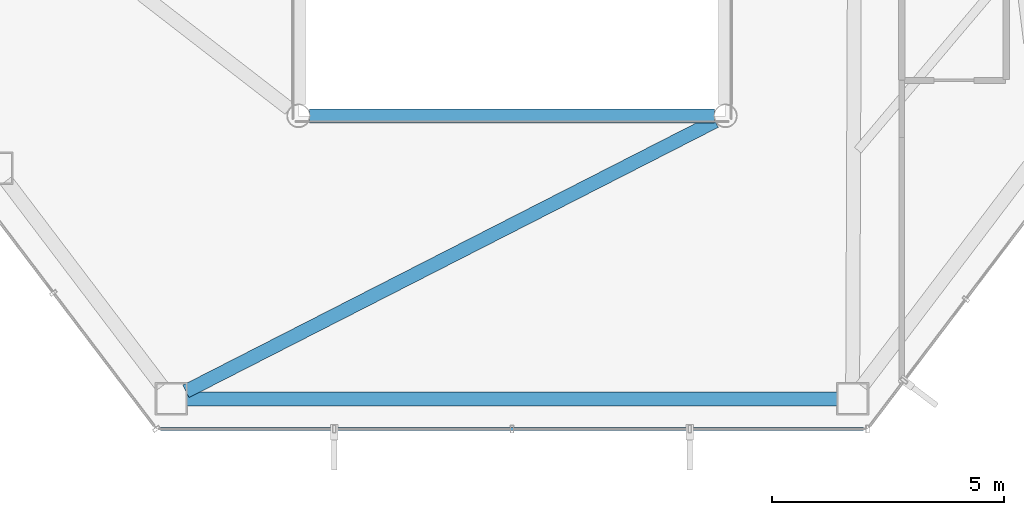
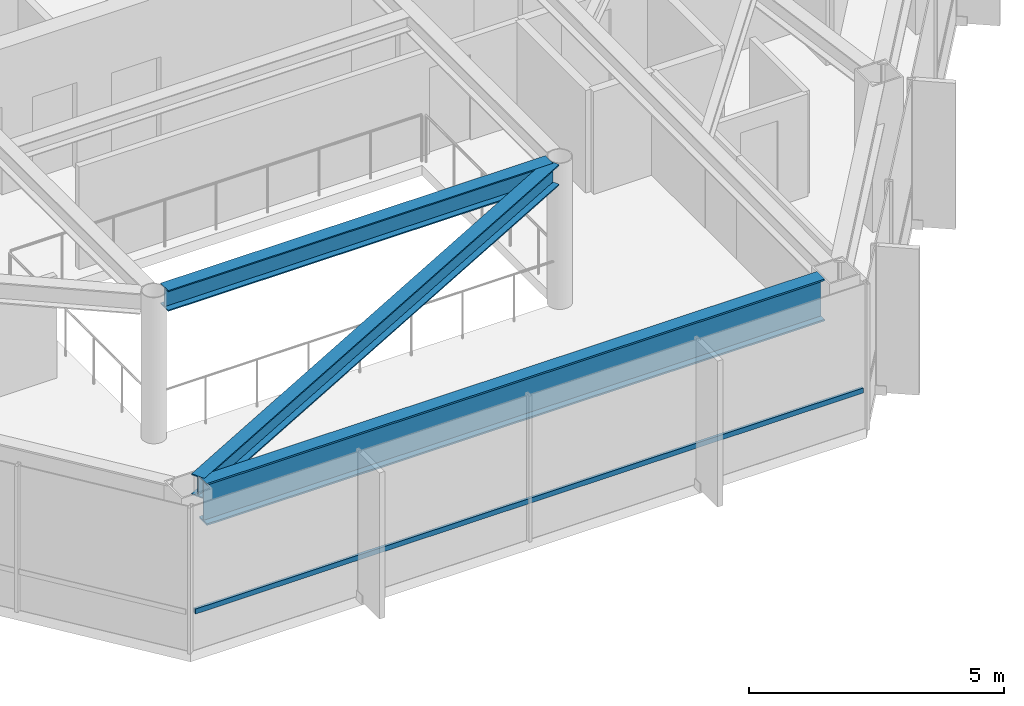
# One storey, part 7 of 28: 3 beams, 1 member, 1 element without a shape of its own.
"""IFC4 building model written with IfcOpenShell, lengths in metres."""

from ifc_helpers import new_model, si_unit, direction, frame, origin, origin_2d, place, context, subcontext, project, spatial, hollow_rectangle, i_section, extrude, material, layer, layer_set, material_profile, profile_set, type_object, element, aggregate, save


model = new_model("IFC4")

# Units and contexts
model_context = context("Model", 3, precision=1e-05, world=origin(), true_north=direction((0.0, 1.0)))
body_context = subcontext(model_context, "Body", "Model", "MODEL_VIEW")
ifc_project = project(units=[si_unit("LENGTHUNIT", "METRE"), si_unit("AREAUNIT", "SQUARE_METRE"), si_unit("VOLUMEUNIT", "CUBIC_METRE"), si_unit("PLANEANGLEUNIT", "RADIAN"), si_unit("MASSUNIT", "GRAM", prefix="KILO")], contexts=[model_context])

# Site, building, storey
site_placement = place(None, origin())
site = spatial("IfcSite", under=ifc_project, at=site_placement, CompositionType="ELEMENT")
building_placement = place(site_placement, origin())
building = spatial("IfcBuilding", under=site, at=building_placement, Name="Zarrinselat Tower", CompositionType="ELEMENT")
storey_placement = place(building_placement, frame((0.0, 0.0, 168.300048828125)))
storey = spatial("IfcBuildingStorey", under=building, at=storey_placement, Name="L41", CompositionType="ELEMENT", Elevation=168.300048828125)

# Beams
ifc_material_1 = material(Name="Steel S355J2", Category="steel")
ifc_material_profile_1 = material_profile(ifc_material_1, i_section(OverallWidth=0.300048828125, OverallDepth=0.5, WebThickness=0.014404296875, FlangeThickness=0.028076171875, at=origin_2d()), Name="HEB 500")
ifc_profile_set_1 = profile_set([ifc_material_profile_1], Name="Steel S355J2")
beam_type_1 = type_object("IfcBeamType", Name="BM-HEB500", PredefinedType="BEAM", material=ifc_profile_set_1)
beam_1_placement = place(storey_placement, frame((34.0400390625, 24.39990234375, 3.25), z_axis=(1.0, 0.0, 0.0), x_axis=(0.0, 1.0, 0.0)))
element("IfcBeam", 1, at=beam_1_placement, inside=storey, type_object=beam_type_1, Name="L41 Atrium Edge Beam S", PredefinedType="BEAM", context=body_context, shape_type="SweptSolid", body=[
    extrude(i_section(OverallWidth=0.300048828125, OverallDepth=0.5, WebThickness=0.014404296875, FlangeThickness=0.028076171875, at=origin_2d()), origin(), (0.0, 0.0, 1.0), 8.719970703125),
])
beam_2_placement = place(storey_placement, frame((31.3740234375, 18.46337890625, 3.25), z_axis=(0.890604443327, 0.454778765475, 0.0), x_axis=(-0.454778765475, 0.890604443327, 0.0)))
element("IfcBeam", 2, at=beam_2_placement, inside=storey, type_object=beam_type_1, Name="L41 Radial Primary Girder RG10", PredefinedType="BEAM", context=body_context, shape_type="SweptSolid", body=[
    extrude(i_section(OverallWidth=0.300048828125, OverallDepth=0.5, WebThickness=0.014404296875, FlangeThickness=0.028076171875, at=origin_2d()), origin(), (0.0, 0.0, 1.0), 12.803955078125),
])
ifc_material_2 = material(Name="Steel S460M", Category="steel")
ifc_material_profile_2 = material_profile(ifc_material_2, i_section(OverallWidth=0.302001953125, OverallDepth=1.008056640625, WebThickness=0.02099609375, FlangeThickness=0.0400390625, at=origin_2d()), Name="HEM 1000")
ifc_profile_set_2 = profile_set([ifc_material_profile_2], Name="Steel S460M")
beam_type_2 = type_object("IfcBeamType", Name="BM-HEM1000", PredefinedType="BEAM", material=ifc_profile_set_2)
beam_3_placement = place(storey_placement, frame((31.398681640625, 18.30322265625, 2.995849609375), z_axis=(1.0, 0.0, 0.0), x_axis=(0.0, 1.0, 0.0)))
element("IfcBeam", 3, at=beam_3_placement, inside=storey, type_object=beam_type_2, Name="L41 Perimeter Spandrel Girder SP10", PredefinedType="BEAM", context=body_context, shape_type="SweptSolid", body=[
    extrude(i_section(OverallWidth=0.302001953125, OverallDepth=1.008056640625, WebThickness=0.02099609375, FlangeThickness=0.0400390625, at=origin_2d()), origin(), (0.0, 0.0, 1.0), 14.002685546875),
])

# Curtain wall, member
ifc_material_3 = material(Name="Extruded Aluminium Alloy EN AW-6063 T6", Category="aluminium")
ifc_layer = layer(ifc_material_3, 0.175048828125)
ifc_layer_set = layer_set([ifc_layer], Name="Extruded Aluminium Alloy EN AW-6063 T6")
curtain_wall_type = type_object("IfcCurtainWallType", Name="CWS-HTL", PredefinedType="NOTDEFINED", material=ifc_layer_set)
curtain_wall_placement = place(storey_placement, origin())
curtain_wall = element("IfcCurtainWall", 4, at=curtain_wall_placement, inside=storey, type_object=curtain_wall_type, Name="L41 Unitised Curtain Wall CW-L41-E04", PredefinedType="NOTDEFINED")
ifc_material_4 = material(Name="Extruded Aluminium Alloy EN AW-6063 T6", Category="aluminium")
ifc_material_profile_3 = material_profile(ifc_material_4, hollow_rectangle(XDim=0.06005859375, YDim=0.1201171875, WallThickness=0.00390625, at=origin_2d()), Name="RHS 120x60x4")
ifc_profile_set_3 = profile_set([ifc_material_profile_3], Name="Extruded Aluminium Alloy EN AW-6063 T6")
member_type = type_object("IfcMemberType", Name="MEM-CW-TRN2", PredefinedType="USERDEFINED", material=ifc_profile_set_3)
member_placement = place(storey_placement, frame((30.82763671875, 17.6533203125, 0.949951171875), z_axis=(1.0, 0.0, 0.0), x_axis=(0.0, 1.0, 0.0)))
member = element("IfcMember", 5, at=member_placement, type_object=member_type, Name="CW-L41-E04 Transom 1", ObjectType="TRANSOM", PredefinedType="USERDEFINED", context=body_context, shape_type="SweptSolid", body=[
    extrude(hollow_rectangle(XDim=0.06005859375, YDim=0.1201171875, WallThickness=0.00390625, at=origin_2d()), origin(), (0.0, 0.0, 1.0), 15.144775390625),
])
aggregate(curtain_wall, [member])

save(model, "model.ifc")
